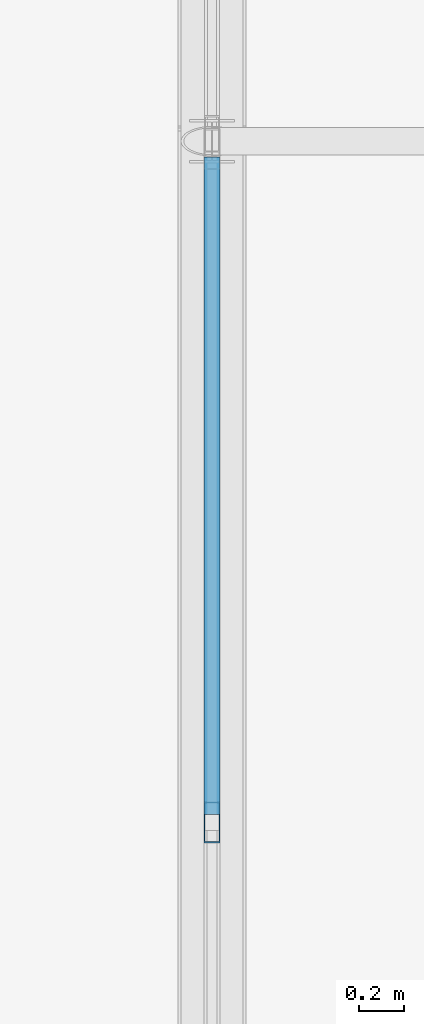
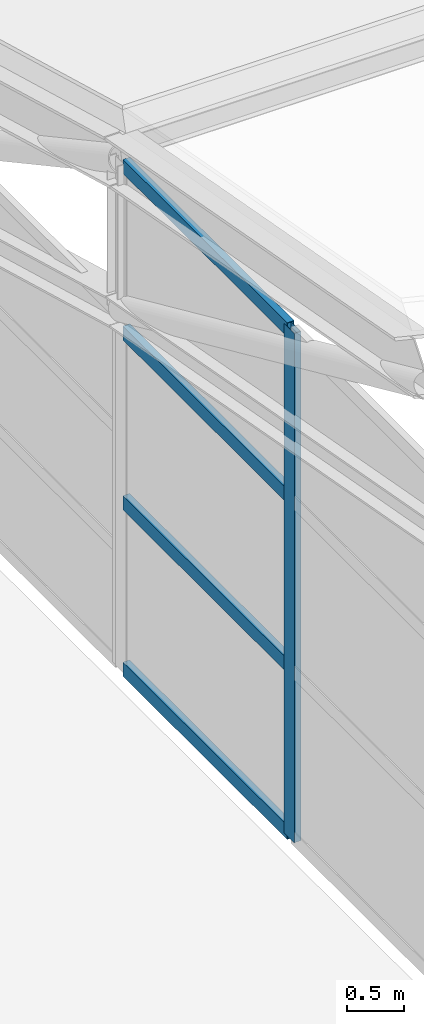
# One storey, part 35 of 204: 5 members, 1 element without a shape of its own.
"""IFC4 building model written with IfcOpenShell, lengths in metres."""

from ifc_helpers import new_model, si_unit, direction, frame, origin, origin_2d, place, context, subcontext, project, spatial, hollow_rectangle, extrude, material, layer, layer_set, material_profile, profile_set, type_object, element, aggregate, save


model = new_model("IFC4")

# Units and contexts
model_context = context("Model", 3, precision=1e-05, world=origin(), true_north=direction((0.0, 1.0)))
body_context = subcontext(model_context, "Body", "Model", "MODEL_VIEW")
ifc_project = project(units=[si_unit("LENGTHUNIT", "METRE"), si_unit("AREAUNIT", "SQUARE_METRE"), si_unit("VOLUMEUNIT", "CUBIC_METRE"), si_unit("PLANEANGLEUNIT", "RADIAN"), si_unit("MASSUNIT", "GRAM", prefix="KILO")], contexts=[model_context])

# Site, building, storey
site_placement = place(None, origin())
site = spatial("IfcSite", under=ifc_project, at=site_placement, CompositionType="ELEMENT")
building_placement = place(site_placement, origin())
building = spatial("IfcBuilding", under=site, at=building_placement, Name="Zilviju Railside Exhibition Hall", CompositionType="ELEMENT")
storey_placement = place(building_placement, frame((0.0, 0.0, 21.0)))
storey = spatial("IfcBuildingStorey", under=building, at=storey_placement, Name="RF", CompositionType="ELEMENT", Elevation=21.0)

# Curtain wall, members
ifc_material_1 = material(Name="Thermally broken aluminium-steel triple-glazed curtain wall", Category="steel")
ifc_layer = layer(ifc_material_1, 0.179931640625)
ifc_layer_set = layer_set([ifc_layer], Name="Thermally broken aluminium-steel triple-glazed curtain wall")
curtain_wall_type = type_object("IfcCurtainWallType", Name="CW-BAY-15", PredefinedType="USERDEFINED", material=ifc_layer_set)
curtain_wall_placement = place(storey_placement, origin())
curtain_wall = element("IfcCurtainWall", 1, at=curtain_wall_placement, inside=storey, type_object=curtain_wall_type, Name="South Hall Arch Tympanum Glazing West P7", ObjectType="GLAZED CURTAIN WALL", PredefinedType="USERDEFINED")
ifc_material_2 = material(Name="Thermally broken anodized aluminium mullion", Category="aluminium")
ifc_material_profile_1 = material_profile(ifc_material_2, hollow_rectangle(XDim=0.070068359375, YDim=0.179931640625, WallThickness=0.0048828125, at=origin_2d()), Name="MULLION 180x70x5")
ifc_profile_set_1 = profile_set([ifc_material_profile_1], Name="Thermally broken anodized aluminium mullion")
member_type_1 = type_object("IfcMemberType", Name="CWM-70x180", PredefinedType="MULLION", material=ifc_profile_set_1)
member_1_placement = place(storey_placement, frame((78.0, 39.0, -7.800048828125), z_axis=(0.0, 0.0, 1.0), x_axis=(-1.0, 0.0, 0.0)))
member_1 = element("IfcMember", 2, at=member_1_placement, type_object=member_type_1, Name="CW-15 mullion 2", PredefinedType="MULLION", context=body_context, shape_type="SweptSolid", body=[
    extrude(hollow_rectangle(XDim=0.070068359375, YDim=0.179931640625, WallThickness=0.0048828125, at=origin_2d()), origin(), (0.0, 0.0, 1.0), 5.47216796875),
])
ifc_material_3 = material(Name="Thermally broken anodized aluminium transom", Category="aluminium")
ifc_material_profile_2 = material_profile(ifc_material_3, hollow_rectangle(XDim=0.070068359375, YDim=0.14990234375, WallThickness=0.0048828125, at=origin_2d()), Name="TRANSOM 150x70x5")
ifc_profile_set_2 = profile_set([ifc_material_profile_2], Name="Thermally broken anodized aluminium transom")
member_type_2 = type_object("IfcMemberType", Name="CWT-70x150", PredefinedType="USERDEFINED", material=ifc_profile_set_2)
member_2_placement = place(storey_placement, frame((78.0, 39.034912109375, -7.764892578125), z_axis=(0.0, 1.0, 0.0), x_axis=(-1.0, 0.0, 0.0)))
member_2 = element("IfcMember", 3, at=member_2_placement, type_object=member_type_2, Name="CW-15 transom 2.1", ObjectType="TRANSOM", PredefinedType="USERDEFINED", context=body_context, shape_type="SweptSolid", body=[
    extrude(hollow_rectangle(XDim=0.070068359375, YDim=0.14990234375, WallThickness=0.0048828125, at=origin_2d()), origin(), (0.0, 0.0, 1.0), 2.89501953125),
])
member_3_placement = place(storey_placement, frame((78.0, 39.034912109375, -5.97607421875), z_axis=(0.0, 1.0, 0.0), x_axis=(-1.0, 0.0, 0.0)))
member_3 = element("IfcMember", 4, at=member_3_placement, type_object=member_type_2, Name="CW-15 transom 2.2", ObjectType="TRANSOM", PredefinedType="USERDEFINED", context=body_context, shape_type="SweptSolid", body=[
    extrude(hollow_rectangle(XDim=0.070068359375, YDim=0.14990234375, WallThickness=0.0048828125, at=origin_2d()), origin(), (0.0, 0.0, 1.0), 2.89501953125),
])
member_4_placement = place(storey_placement, frame((78.0, 39.034912109375, -4.152099609375), z_axis=(0.0, 1.0, 0.0), x_axis=(-1.0, 0.0, 0.0)))
member_4 = element("IfcMember", 5, at=member_4_placement, type_object=member_type_2, Name="CW-15 transom 2.3", ObjectType="TRANSOM", PredefinedType="USERDEFINED", context=body_context, shape_type="SweptSolid", body=[
    extrude(hollow_rectangle(XDim=0.070068359375, YDim=0.14990234375, WallThickness=0.0048828125, at=origin_2d()), origin(), (0.0, 0.0, 1.0), 2.89501953125),
])
member_5_placement = place(storey_placement, frame((78.0, 39.034912109375, -2.363037109375), z_axis=(0.0, 1.0, 0.0), x_axis=(-1.0, 0.0, 0.0)))
member_5 = element("IfcMember", 6, at=member_5_placement, type_object=member_type_2, Name="CW-15 transom 2.4", ObjectType="TRANSOM", PredefinedType="USERDEFINED", context=body_context, shape_type="SweptSolid", body=[
    extrude(hollow_rectangle(XDim=0.070068359375, YDim=0.14990234375, WallThickness=0.0048828125, at=origin_2d()), origin(), (0.0, 0.0, 1.0), 2.89501953125),
])
aggregate(curtain_wall, [member_1, member_2, member_3, member_4, member_5])

save(model, "model.ifc")
